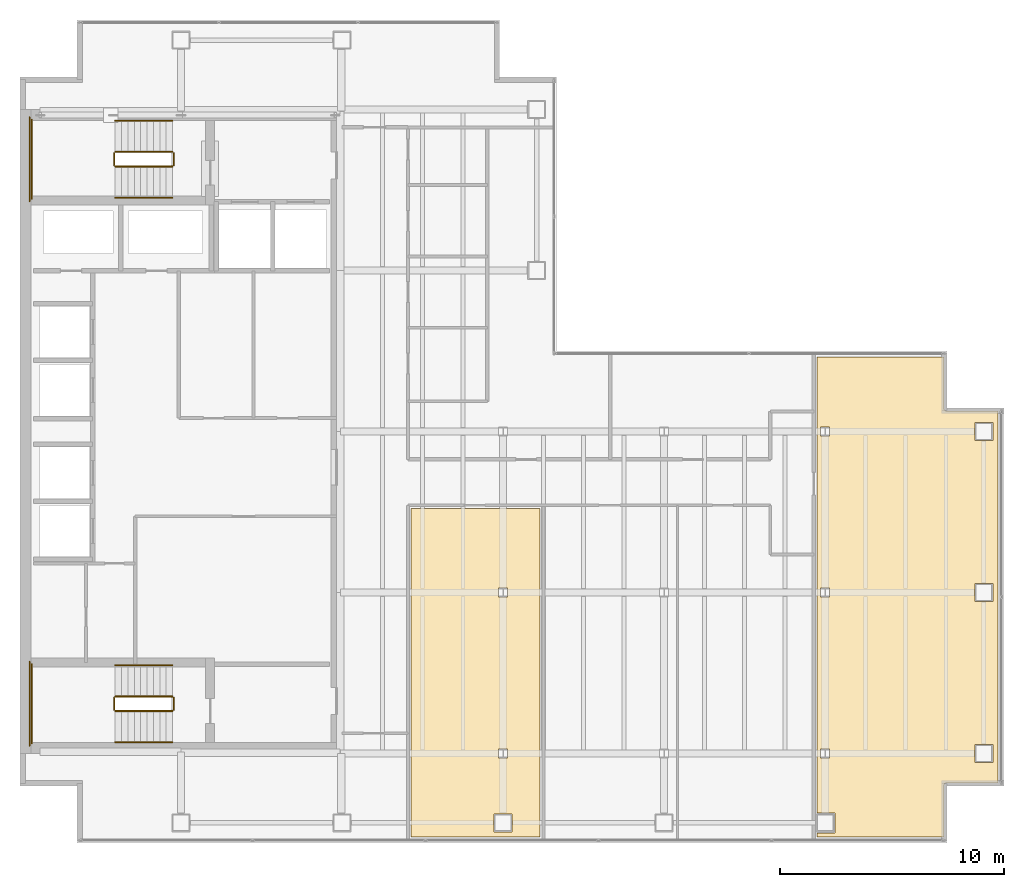
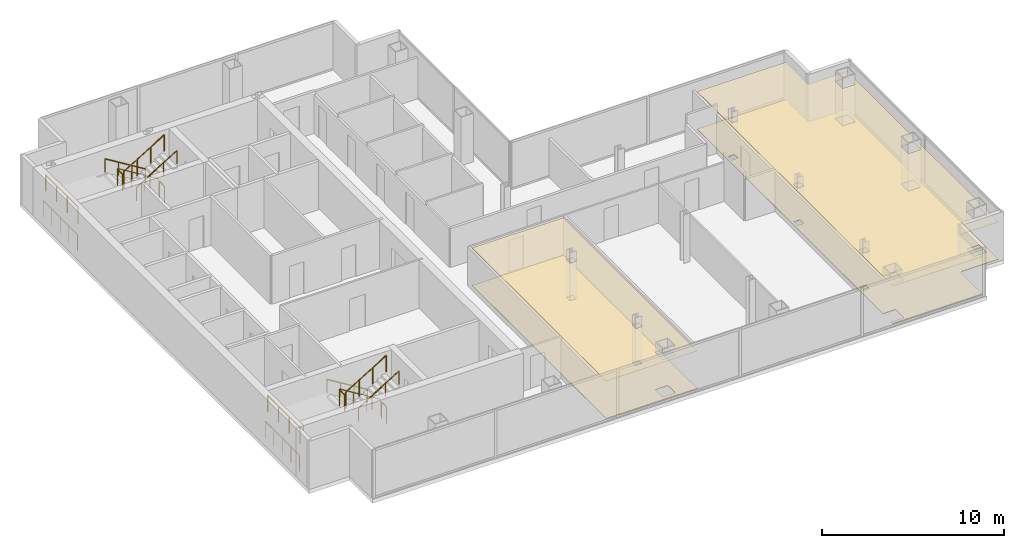
# One storey, part 23 of 23: 16 railings, 4 coverings.
"""IFC4 building model written with IfcOpenShell, lengths in metres."""

from ifc_helpers import new_model, si_unit, direction, frame, origin, origin_2d, place, context, subcontext, project, spatial, polyline, circle, outline, extrude, material, layer, layer_set, type_object, element, save


model = new_model("IFC4")

# Units and contexts
model_context = context("Model", 3, precision=1e-05, world=origin(), true_north=direction((0.0, 1.0)))
body_context = subcontext(model_context, "Body", "Model", "MODEL_VIEW")
ifc_project = project(units=[si_unit("LENGTHUNIT", "METRE"), si_unit("AREAUNIT", "SQUARE_METRE"), si_unit("VOLUMEUNIT", "CUBIC_METRE"), si_unit("PLANEANGLEUNIT", "RADIAN"), si_unit("MASSUNIT", "GRAM", prefix="KILO")], contexts=[model_context])

# Site, building, storey
site_placement = place(None, origin())
site = spatial("IfcSite", under=ifc_project, at=site_placement, CompositionType="ELEMENT")
building_placement = place(site_placement, origin())
building = spatial("IfcBuilding", under=site, at=building_placement, Name="Cobrela Telecom Tower", CompositionType="ELEMENT")
storey_placement = place(building_placement, frame((0.0, 0.0, 187.25)))
storey = spatial("IfcBuildingStorey", under=building, at=storey_placement, Name="L47", CompositionType="ELEMENT", Elevation=187.25)

# Coverings
ifc_material_1 = material(Name="Mineral Fibre Acoustic Ceiling Tile")
ifc_layer_1 = layer(ifc_material_1, 0.02490234375)
ifc_layer_set_1 = layer_set([ifc_layer_1], Name="Mineral Fibre Acoustic Ceiling Tile")
covering_type_1 = type_object("IfcCoveringType", Name="COV-CEIL-ACT", PredefinedType="CEILING", material=ifc_layer_set_1)
covering_1_placement = place(storey_placement, frame((0.0, 0.0, 2.52001953125)))
element("IfcCovering", 1, at=covering_1_placement, inside=storey, type_object=covering_type_1, Name="L47 Systems Engineering Studio 8 Suspended Acoustic Ceiling", PredefinedType="CEILING", context=body_context, shape_type="SweptSolid", body=[
    extrude(outline(polyline([(41.422607421875, 5.887451171875), (41.409423828125, 5.884033203125), (41.396484375, 5.87939453125), (41.384033203125, 5.87353515625), (41.3720703125, 5.866455078125), (41.361083984375, 5.8583984375), (41.35107421875, 5.84912109375), (41.341796875, 5.8388671875), (41.33349609375, 5.827880859375), (41.326416015625, 5.81591796875), (41.320556640625, 5.8037109375), (41.31591796875, 5.79052734375), (41.3125, 5.77734375), (41.310546875, 5.763671875), (41.31005859375, 5.7509765625), (41.31005859375, 3.4599609375), (35.639892578125, 3.4599609375), (35.639892578125, 3.64990234375), (36.449951171875, 3.64990234375), (36.449951171875, 4.550048828125), (35.639892578125, 4.550048828125), (35.639892578125, 24.93994140625), (41.31005859375, 24.93994140625), (41.31005859375, 22.64892578125), (41.310546875, 22.63623046875), (41.3125, 22.622802734375), (41.31591796875, 22.609375), (41.320556640625, 22.596435546875), (41.326416015625, 22.583984375), (41.33349609375, 22.572021484375), (41.341796875, 22.561279296875), (41.35107421875, 22.551025390625), (41.361083984375, 22.541748046875), (41.3720703125, 22.53369140625), (41.384033203125, 22.526611328125), (41.396484375, 22.5205078125), (41.409423828125, 22.51611328125), (41.422607421875, 22.5126953125), (41.436279296875, 22.510498046875), (41.448974609375, 22.510009765625), (43.739990234375, 22.510009765625), (43.739990234375, 5.889892578125), (41.448974609375, 5.889892578125), (41.436279296875, 5.889404296875), (41.422607421875, 5.887451171875)]), holes=[polyline([(36.199462890625, 7.0029296875), (36.199462890625, 7.39697265625), (35.800537109375, 7.39697265625), (35.800537109375, 7.0029296875), (36.199462890625, 7.0029296875)]), polyline([(43.5, 6.800048828125), (43.5, 7.60009765625), (42.699951171875, 7.60009765625), (42.699951171875, 6.800048828125), (43.5, 6.800048828125)]), polyline([(36.199462890625, 14.202880859375), (36.199462890625, 14.596923828125), (35.800537109375, 14.596923828125), (35.800537109375, 14.202880859375), (36.199462890625, 14.202880859375)]), polyline([(43.5, 14.0), (43.5, 14.800048828125), (42.699951171875, 14.800048828125), (42.699951171875, 14.0), (43.5, 14.0)]), polyline([(36.199462890625, 21.403076171875), (36.199462890625, 21.797119140625), (35.800537109375, 21.797119140625), (35.800537109375, 21.403076171875), (36.199462890625, 21.403076171875)]), polyline([(43.5, 21.199951171875), (43.5, 22.0), (42.699951171875, 22.0), (42.699951171875, 21.199951171875), (43.5, 21.199951171875)])]), origin(), (0.0, 0.0, 1.0), 0.02490234375),
])
covering_2_placement = place(storey_placement, frame((0.0, 0.0, 2.52001953125)))
element("IfcCovering", 2, at=covering_2_placement, inside=storey, type_object=covering_type_1, Name="L47 Security Control Room 5 Suspended Acoustic Ceiling", PredefinedType="CEILING", context=body_context, shape_type="SweptSolid", body=[
    extrude(outline(polyline([(23.260009765625, 3.4599609375), (17.489990234375, 3.4599609375), (17.489990234375, 18.159912109375), (23.260009765625, 18.159912109375), (23.260009765625, 3.4599609375)]), holes=[polyline([(22.0, 4.5), (21.199951171875, 4.5), (21.199951171875, 3.699951171875), (22.0, 3.699951171875), (22.0, 4.5)]), polyline([(21.799560546875, 7.0029296875), (21.799560546875, 7.39697265625), (21.400390625, 7.39697265625), (21.400390625, 7.0029296875), (21.799560546875, 7.0029296875)]), polyline([(21.799560546875, 14.596923828125), (21.400390625, 14.596923828125), (21.400390625, 14.202880859375), (21.799560546875, 14.202880859375), (21.799560546875, 14.596923828125)])]), origin(), (0.0, 0.0, 1.0), 0.02490234375),
])
ifc_material_2 = material(Name="Honed Colombian Basalt Stone", Category="masonry")
ifc_layer_2 = layer(ifc_material_2, 0.0400390625)
ifc_layer_set_2 = layer_set([ifc_layer_2], Name="Honed Colombian Basalt Stone")
covering_type_2 = type_object("IfcCoveringType", Name="COV-FLR-STONE", PredefinedType="FLOORING", material=ifc_layer_set_2)
covering_3_placement = place(storey_placement, origin())
element("IfcCovering", 3, at=covering_3_placement, inside=storey, type_object=covering_type_2, Name="L47 Systems Engineering Studio 8 Raised Technical Flooring", PredefinedType="FLOORING", context=body_context, shape_type="SweptSolid", body=[
    extrude(outline(polyline([(41.422607421875, 5.887451171875), (41.409423828125, 5.884033203125), (41.396484375, 5.87939453125), (41.384033203125, 5.87353515625), (41.3720703125, 5.866455078125), (41.361083984375, 5.8583984375), (41.35107421875, 5.84912109375), (41.341796875, 5.8388671875), (41.33349609375, 5.827880859375), (41.326416015625, 5.81591796875), (41.320556640625, 5.8037109375), (41.31591796875, 5.79052734375), (41.3125, 5.77734375), (41.310546875, 5.763671875), (41.31005859375, 5.7509765625), (41.31005859375, 3.4599609375), (35.639892578125, 3.4599609375), (35.639892578125, 3.64990234375), (36.449951171875, 3.64990234375), (36.449951171875, 4.550048828125), (35.639892578125, 4.550048828125), (35.639892578125, 24.93994140625), (41.31005859375, 24.93994140625), (41.31005859375, 22.64892578125), (41.310546875, 22.63623046875), (41.3125, 22.622802734375), (41.31591796875, 22.609375), (41.320556640625, 22.596435546875), (41.326416015625, 22.583984375), (41.33349609375, 22.572021484375), (41.341796875, 22.561279296875), (41.35107421875, 22.551025390625), (41.361083984375, 22.541748046875), (41.3720703125, 22.53369140625), (41.384033203125, 22.526611328125), (41.396484375, 22.5205078125), (41.409423828125, 22.51611328125), (41.422607421875, 22.5126953125), (41.436279296875, 22.510498046875), (41.448974609375, 22.510009765625), (43.739990234375, 22.510009765625), (43.739990234375, 5.889892578125), (41.448974609375, 5.889892578125), (41.436279296875, 5.889404296875), (41.422607421875, 5.887451171875)]), holes=[polyline([(36.199462890625, 7.0029296875), (36.199462890625, 7.39697265625), (35.800537109375, 7.39697265625), (35.800537109375, 7.0029296875), (36.199462890625, 7.0029296875)]), polyline([(43.5, 6.800048828125), (43.5, 7.60009765625), (42.699951171875, 7.60009765625), (42.699951171875, 6.800048828125), (43.5, 6.800048828125)]), polyline([(36.199462890625, 14.202880859375), (36.199462890625, 14.596923828125), (35.800537109375, 14.596923828125), (35.800537109375, 14.202880859375), (36.199462890625, 14.202880859375)]), polyline([(43.5, 14.0), (43.5, 14.800048828125), (42.699951171875, 14.800048828125), (42.699951171875, 14.0), (43.5, 14.0)]), polyline([(36.199462890625, 21.403076171875), (36.199462890625, 21.797119140625), (35.800537109375, 21.797119140625), (35.800537109375, 21.403076171875), (36.199462890625, 21.403076171875)]), polyline([(43.5, 21.199951171875), (43.5, 22.0), (42.699951171875, 22.0), (42.699951171875, 21.199951171875), (43.5, 21.199951171875)])]), origin(), (0.0, 0.0, 1.0), 0.0400390625),
])
covering_4_placement = place(storey_placement, origin())
element("IfcCovering", 4, at=covering_4_placement, inside=storey, type_object=covering_type_2, Name="L47 Security Control Room 5 Raised Technical Flooring", PredefinedType="FLOORING", context=body_context, shape_type="SweptSolid", body=[
    extrude(outline(polyline([(23.260009765625, 3.4599609375), (17.489990234375, 3.4599609375), (17.489990234375, 18.159912109375), (23.260009765625, 18.159912109375), (23.260009765625, 3.4599609375)]), holes=[polyline([(22.0, 4.5), (21.199951171875, 4.5), (21.199951171875, 3.699951171875), (22.0, 3.699951171875), (22.0, 4.5)]), polyline([(21.799560546875, 7.0029296875), (21.799560546875, 7.39697265625), (21.400390625, 7.39697265625), (21.400390625, 7.0029296875), (21.799560546875, 7.0029296875)]), polyline([(21.799560546875, 14.596923828125), (21.400390625, 14.596923828125), (21.400390625, 14.202880859375), (21.799560546875, 14.202880859375), (21.799560546875, 14.596923828125)])]), origin(), (0.0, 0.0, 1.0), 0.0400390625),
])

# Railings
ifc_material_3 = material(Name="Steel ASTM A36", Category="steel")
railing_type_1 = type_object("IfcRailingType", Name="RAIL-GUARD-1100", PredefinedType="GUARDRAIL", material=ifc_material_3)
railing_1_placement = place(storey_placement, frame((6.820068359375, 34.10009765625, 0.175048828125)))
element("IfcRailing", 5, at=railing_1_placement, inside=storey, type_object=railing_type_1, Name="L47 ST1 stair guard 1", PredefinedType="GUARDRAIL", context=body_context, shape_type="SweptSolid", body=[
    extrude(circle(Radius=0.02392578125, at=origin_2d()), frame((0.0, 0.0, 1.076171875), z_axis=(-0.852195335862, 0.0, 0.523223766217), x_axis=(0.0, -1.0, 0.0)), (0.0, 0.0, 1.0), 3.010009765625),
    extrude(circle(Radius=0.02099609375, at=origin_2d()), origin(), (0.0, 0.0, 1.0), 1.052001953125),
    extrude(circle(Radius=0.02099609375, at=origin_2d()), frame((-0.85498046875, 0.0, 0.52490234375)), (0.0, 0.0, 1.0), 1.052001953125),
    extrude(circle(Radius=0.02099609375, at=origin_2d()), frame((-1.710205078125, 0.0, 1.050048828125)), (0.0, 0.0, 1.0), 1.052001953125),
    extrude(circle(Radius=0.02099609375, at=origin_2d()), frame((-2.565185546875, 0.0, 1.574951171875)), (0.0, 0.0, 1.0), 1.052001953125),
])
railing_2_placement = place(storey_placement, frame((4.205078125, 34.050048828125, 1.75)))
element("IfcRailing", 6, at=railing_2_placement, inside=storey, type_object=railing_type_1, Name="L47 ST1 stair guard 2", PredefinedType="GUARDRAIL", context=body_context, shape_type="SweptSolid", body=[
    extrude(circle(Radius=0.02392578125, at=origin_2d()), frame((0.0, 0.0, 1.076171875), z_axis=(0.0, -1.0, 0.0), x_axis=(1.0, 0.0, 0.0)), (0.0, 0.0, 1.0), 0.550048828125),
    extrude(circle(Radius=0.02099609375, at=origin_2d()), origin(), (0.0, 0.0, 1.0), 1.052001953125),
    extrude(circle(Radius=0.02099609375, at=origin_2d()), frame((0.0, -0.550048828125, 0.0)), (0.0, 0.0, 1.0), 1.052001953125),
])
railing_3_placement = place(storey_placement, frame((0.530029296875, 35.550048828125, 1.75)))
element("IfcRailing", 7, at=railing_3_placement, inside=storey, type_object=railing_type_1, Name="L47 ST1 stair guard 3", PredefinedType="GUARDRAIL", context=body_context, shape_type="SweptSolid", body=[
    extrude(circle(Radius=0.02392578125, at=origin_2d()), frame((0.0, 0.0, 1.076171875), z_axis=(0.0, -1.0, 0.0), x_axis=(1.0, 0.0, 0.0)), (0.0, 0.0, 1.0), 3.550048828125),
    extrude(circle(Radius=0.02099609375, at=origin_2d()), origin(), (0.0, 0.0, 1.0), 1.052001953125),
    extrude(circle(Radius=0.02099609375, at=origin_2d()), frame((0.0, -1.183349609375, 0.0)), (0.0, 0.0, 1.0), 1.052001953125),
    extrude(circle(Radius=0.02099609375, at=origin_2d()), frame((0.0, -2.36669921875, 0.0)), (0.0, 0.0, 1.0), 1.052001953125),
    extrude(circle(Radius=0.02099609375, at=origin_2d()), frame((0.0, -3.550048828125, 0.0)), (0.0, 0.0, 1.0), 1.052001953125),
])
railing_4_placement = place(storey_placement, frame((4.2548828125, 33.449951171875, 1.925048828125)))
element("IfcRailing", 8, at=railing_4_placement, inside=storey, type_object=railing_type_1, Name="L47 ST1 stair guard 4", PredefinedType="GUARDRAIL", context=body_context, shape_type="SweptSolid", body=[
    extrude(circle(Radius=0.02392578125, at=origin_2d()), frame((0.0, 0.0, 1.076171875), z_axis=(0.852195335862, 0.0, 0.523223766217), x_axis=(0.0, 1.0, 0.0)), (0.0, 0.0, 1.0), 3.010009765625),
    extrude(circle(Radius=0.02099609375, at=origin_2d()), origin(), (0.0, 0.0, 1.0), 1.052001953125),
    extrude(circle(Radius=0.02099609375, at=origin_2d()), frame((0.85498046875, 0.0, 0.52490234375)), (0.0, 0.0, 1.0), 1.052001953125),
    extrude(circle(Radius=0.02099609375, at=origin_2d()), frame((1.710205078125, 0.0, 1.050048828125)), (0.0, 0.0, 1.0), 1.052001953125),
    extrude(circle(Radius=0.02099609375, at=origin_2d()), frame((2.565185546875, 0.0, 1.574951171875)), (0.0, 0.0, 1.0), 1.052001953125),
])
railing_5_placement = place(storey_placement, frame((6.8701171875, 34.050048828125, 0.0)))
element("IfcRailing", 9, at=railing_5_placement, inside=storey, type_object=railing_type_1, Name="L47 ST1 stair guard 5", PredefinedType="GUARDRAIL", context=body_context, shape_type="SweptSolid", body=[
    extrude(circle(Radius=0.02392578125, at=origin_2d()), frame((0.0, 0.0, 1.076171875), z_axis=(0.0, -1.0, 0.0), x_axis=(1.0, 0.0, 0.0)), (0.0, 0.0, 1.0), 0.550048828125),
    extrude(circle(Radius=0.02099609375, at=origin_2d()), origin(), (0.0, 0.0, 1.0), 1.052001953125),
    extrude(circle(Radius=0.02099609375, at=origin_2d()), frame((0.0, -0.550048828125, 0.0)), (0.0, 0.0, 1.0), 1.052001953125),
])
railing_6_placement = place(storey_placement, frame((0.429931640625, 35.64990234375, 0.0)))
element("IfcRailing", 10, at=railing_6_placement, inside=storey, type_object=railing_type_1, Name="L47 ST1 stair guard 6", PredefinedType="GUARDRAIL", context=body_context, shape_type="SweptSolid", body=[
    extrude(circle(Radius=0.02392578125, at=origin_2d()), frame((0.0, 0.0, 1.076171875), z_axis=(0.0, -1.0, 0.0), x_axis=(1.0, 0.0, 0.0)), (0.0, 0.0, 1.0), 3.75),
    extrude(circle(Radius=0.02099609375, at=origin_2d()), origin(), (0.0, 0.0, 1.0), 1.052001953125),
    extrude(circle(Radius=0.02099609375, at=origin_2d()), frame((0.0, -0.9375, 0.0)), (0.0, 0.0, 1.0), 1.052001953125),
    extrude(circle(Radius=0.02099609375, at=origin_2d()), frame((0.0, -1.875, 0.0)), (0.0, 0.0, 1.0), 1.052001953125),
    extrude(circle(Radius=0.02099609375, at=origin_2d()), frame((0.0, -2.8125, 0.0)), (0.0, 0.0, 1.0), 1.052001953125),
    extrude(circle(Radius=0.02099609375, at=origin_2d()), frame((0.0, -3.75, 0.0)), (0.0, 0.0, 1.0), 1.052001953125),
])
railing_7_placement = place(storey_placement, frame((6.820068359375, 9.75, 0.175048828125)))
element("IfcRailing", 11, at=railing_7_placement, inside=storey, type_object=railing_type_1, Name="L47 ST2 stair guard 1", PredefinedType="GUARDRAIL", context=body_context, shape_type="SweptSolid", body=[
    extrude(circle(Radius=0.02392578125, at=origin_2d()), frame((0.0, 0.0, 1.076171875), z_axis=(-0.852195335862, 0.0, 0.523223766217), x_axis=(0.0, -1.0, 0.0)), (0.0, 0.0, 1.0), 3.010009765625),
    extrude(circle(Radius=0.02099609375, at=origin_2d()), origin(), (0.0, 0.0, 1.0), 1.052001953125),
    extrude(circle(Radius=0.02099609375, at=origin_2d()), frame((-0.85498046875, 0.0, 0.52490234375)), (0.0, 0.0, 1.0), 1.052001953125),
    extrude(circle(Radius=0.02099609375, at=origin_2d()), frame((-1.710205078125, 0.0, 1.050048828125)), (0.0, 0.0, 1.0), 1.052001953125),
    extrude(circle(Radius=0.02099609375, at=origin_2d()), frame((-2.565185546875, 0.0, 1.574951171875)), (0.0, 0.0, 1.0), 1.052001953125),
])
railing_8_placement = place(storey_placement, frame((4.205078125, 9.699951171875, 1.75)))
element("IfcRailing", 12, at=railing_8_placement, inside=storey, type_object=railing_type_1, Name="L47 ST2 stair guard 2", PredefinedType="GUARDRAIL", context=body_context, shape_type="SweptSolid", body=[
    extrude(circle(Radius=0.02392578125, at=origin_2d()), frame((0.0, 0.0, 1.076171875), z_axis=(0.0, -1.0, 0.0), x_axis=(1.0, 0.0, 0.0)), (0.0, 0.0, 1.0), 0.550048828125),
    extrude(circle(Radius=0.02099609375, at=origin_2d()), origin(), (0.0, 0.0, 1.0), 1.052001953125),
    extrude(circle(Radius=0.02099609375, at=origin_2d()), frame((0.0, -0.550048828125, 0.0)), (0.0, 0.0, 1.0), 1.052001953125),
])
railing_9_placement = place(storey_placement, frame((0.530029296875, 11.199951171875, 1.75)))
element("IfcRailing", 13, at=railing_9_placement, inside=storey, type_object=railing_type_1, Name="L47 ST2 stair guard 3", PredefinedType="GUARDRAIL", context=body_context, shape_type="SweptSolid", body=[
    extrude(circle(Radius=0.02392578125, at=origin_2d()), frame((0.0, 0.0, 1.076171875), z_axis=(0.0, -1.0, 0.0), x_axis=(1.0, 0.0, 0.0)), (0.0, 0.0, 1.0), 3.550048828125),
    extrude(circle(Radius=0.02099609375, at=origin_2d()), origin(), (0.0, 0.0, 1.0), 1.052001953125),
    extrude(circle(Radius=0.02099609375, at=origin_2d()), frame((0.0, -1.183349609375, 0.0)), (0.0, 0.0, 1.0), 1.052001953125),
    extrude(circle(Radius=0.02099609375, at=origin_2d()), frame((0.0, -2.36669921875, 0.0)), (0.0, 0.0, 1.0), 1.052001953125),
    extrude(circle(Radius=0.02099609375, at=origin_2d()), frame((0.0, -3.550048828125, 0.0)), (0.0, 0.0, 1.0), 1.052001953125),
])
railing_10_placement = place(storey_placement, frame((4.2548828125, 9.10009765625, 1.925048828125)))
element("IfcRailing", 14, at=railing_10_placement, inside=storey, type_object=railing_type_1, Name="L47 ST2 stair guard 4", PredefinedType="GUARDRAIL", context=body_context, shape_type="SweptSolid", body=[
    extrude(circle(Radius=0.02392578125, at=origin_2d()), frame((0.0, 0.0, 1.076171875), z_axis=(0.852195335862, 0.0, 0.523223766217), x_axis=(0.0, 1.0, 0.0)), (0.0, 0.0, 1.0), 3.010009765625),
    extrude(circle(Radius=0.02099609375, at=origin_2d()), origin(), (0.0, 0.0, 1.0), 1.052001953125),
    extrude(circle(Radius=0.02099609375, at=origin_2d()), frame((0.85498046875, 0.0, 0.52490234375)), (0.0, 0.0, 1.0), 1.052001953125),
    extrude(circle(Radius=0.02099609375, at=origin_2d()), frame((1.710205078125, 0.0, 1.050048828125)), (0.0, 0.0, 1.0), 1.052001953125),
    extrude(circle(Radius=0.02099609375, at=origin_2d()), frame((2.565185546875, 0.0, 1.574951171875)), (0.0, 0.0, 1.0), 1.052001953125),
])
railing_11_placement = place(storey_placement, frame((6.8701171875, 9.699951171875, 0.0)))
element("IfcRailing", 15, at=railing_11_placement, inside=storey, type_object=railing_type_1, Name="L47 ST2 stair guard 5", PredefinedType="GUARDRAIL", context=body_context, shape_type="SweptSolid", body=[
    extrude(circle(Radius=0.02392578125, at=origin_2d()), frame((0.0, 0.0, 1.076171875), z_axis=(0.0, -1.0, 0.0), x_axis=(1.0, 0.0, 0.0)), (0.0, 0.0, 1.0), 0.550048828125),
    extrude(circle(Radius=0.02099609375, at=origin_2d()), origin(), (0.0, 0.0, 1.0), 1.052001953125),
    extrude(circle(Radius=0.02099609375, at=origin_2d()), frame((0.0, -0.550048828125, 0.0)), (0.0, 0.0, 1.0), 1.052001953125),
])
railing_12_placement = place(storey_placement, frame((0.429931640625, 11.300048828125, 0.0)))
element("IfcRailing", 16, at=railing_12_placement, inside=storey, type_object=railing_type_1, Name="L47 ST2 stair guard 6", PredefinedType="GUARDRAIL", context=body_context, shape_type="SweptSolid", body=[
    extrude(circle(Radius=0.02392578125, at=origin_2d()), frame((0.0, 0.0, 1.076171875), z_axis=(0.0, -1.0, 0.0), x_axis=(1.0, 0.0, 0.0)), (0.0, 0.0, 1.0), 3.75),
    extrude(circle(Radius=0.02099609375, at=origin_2d()), origin(), (0.0, 0.0, 1.0), 1.052001953125),
    extrude(circle(Radius=0.02099609375, at=origin_2d()), frame((0.0, -0.9375, 0.0)), (0.0, 0.0, 1.0), 1.052001953125),
    extrude(circle(Radius=0.02099609375, at=origin_2d()), frame((0.0, -1.875, 0.0)), (0.0, 0.0, 1.0), 1.052001953125),
    extrude(circle(Radius=0.02099609375, at=origin_2d()), frame((0.0, -2.8125, 0.0)), (0.0, 0.0, 1.0), 1.052001953125),
    extrude(circle(Radius=0.02099609375, at=origin_2d()), frame((0.0, -3.75, 0.0)), (0.0, 0.0, 1.0), 1.052001953125),
])
railing_type_2 = type_object("IfcRailingType", Name="RAIL-HAND-920", PredefinedType="HANDRAIL", material=ifc_material_3)
railing_13_placement = place(storey_placement, frame((6.820068359375, 35.5, 0.175048828125)))
element("IfcRailing", 17, at=railing_13_placement, inside=storey, type_object=railing_type_2, Name="L47 ST1 stair handrail 1", PredefinedType="HANDRAIL", context=body_context, shape_type="SweptSolid", body=[
    extrude(circle(Radius=0.02392578125, at=origin_2d()), frame((0.0, 0.0, 0.8759765625), z_axis=(-0.852195335862, 0.0, 0.523223766217), x_axis=(0.0, -1.0, 0.0)), (0.0, 0.0, 1.0), 3.010009765625),
    extrude(circle(Radius=0.02099609375, at=origin_2d()), origin(), (0.0, 0.0, 1.0), 0.851806640625),
    extrude(circle(Radius=0.02099609375, at=origin_2d()), frame((-0.85498046875, 0.0, 0.52490234375)), (0.0, 0.0, 1.0), 0.851806640625),
    extrude(circle(Radius=0.02099609375, at=origin_2d()), frame((-1.710205078125, 0.0, 1.050048828125)), (0.0, 0.0, 1.0), 0.851806640625),
    extrude(circle(Radius=0.02099609375, at=origin_2d()), frame((-2.565185546875, 0.0, 1.574951171875)), (0.0, 0.0, 1.0), 0.851806640625),
])
railing_14_placement = place(storey_placement, frame((4.2548828125, 32.050048828125, 1.925048828125)))
element("IfcRailing", 18, at=railing_14_placement, inside=storey, type_object=railing_type_2, Name="L47 ST1 stair handrail 2", PredefinedType="HANDRAIL", context=body_context, shape_type="SweptSolid", body=[
    extrude(circle(Radius=0.02392578125, at=origin_2d()), frame((0.0, 0.0, 0.8759765625), z_axis=(0.852195335862, 0.0, 0.523223766217), x_axis=(0.0, 1.0, 0.0)), (0.0, 0.0, 1.0), 3.010009765625),
    extrude(circle(Radius=0.02099609375, at=origin_2d()), origin(), (0.0, 0.0, 1.0), 0.851806640625),
    extrude(circle(Radius=0.02099609375, at=origin_2d()), frame((0.85498046875, 0.0, 0.52490234375)), (0.0, 0.0, 1.0), 0.851806640625),
    extrude(circle(Radius=0.02099609375, at=origin_2d()), frame((1.710205078125, 0.0, 1.050048828125)), (0.0, 0.0, 1.0), 0.851806640625),
    extrude(circle(Radius=0.02099609375, at=origin_2d()), frame((2.565185546875, 0.0, 1.574951171875)), (0.0, 0.0, 1.0), 0.851806640625),
])
railing_15_placement = place(storey_placement, frame((6.820068359375, 11.14990234375, 0.175048828125)))
element("IfcRailing", 19, at=railing_15_placement, inside=storey, type_object=railing_type_2, Name="L47 ST2 stair handrail 1", PredefinedType="HANDRAIL", context=body_context, shape_type="SweptSolid", body=[
    extrude(circle(Radius=0.02392578125, at=origin_2d()), frame((0.0, 0.0, 0.8759765625), z_axis=(-0.852195335862, 0.0, 0.523223766217), x_axis=(0.0, -1.0, 0.0)), (0.0, 0.0, 1.0), 3.010009765625),
    extrude(circle(Radius=0.02099609375, at=origin_2d()), origin(), (0.0, 0.0, 1.0), 0.851806640625),
    extrude(circle(Radius=0.02099609375, at=origin_2d()), frame((-0.85498046875, 0.0, 0.52490234375)), (0.0, 0.0, 1.0), 0.851806640625),
    extrude(circle(Radius=0.02099609375, at=origin_2d()), frame((-1.710205078125, 0.0, 1.050048828125)), (0.0, 0.0, 1.0), 0.851806640625),
    extrude(circle(Radius=0.02099609375, at=origin_2d()), frame((-2.565185546875, 0.0, 1.574951171875)), (0.0, 0.0, 1.0), 0.851806640625),
])
railing_16_placement = place(storey_placement, frame((4.2548828125, 7.699951171875, 1.925048828125)))
element("IfcRailing", 20, at=railing_16_placement, inside=storey, type_object=railing_type_2, Name="L47 ST2 stair handrail 2", PredefinedType="HANDRAIL", context=body_context, shape_type="SweptSolid", body=[
    extrude(circle(Radius=0.02392578125, at=origin_2d()), frame((0.0, 0.0, 0.8759765625), z_axis=(0.852195335862, 0.0, 0.523223766217), x_axis=(0.0, 1.0, 0.0)), (0.0, 0.0, 1.0), 3.010009765625),
    extrude(circle(Radius=0.02099609375, at=origin_2d()), origin(), (0.0, 0.0, 1.0), 0.851806640625),
    extrude(circle(Radius=0.02099609375, at=origin_2d()), frame((0.85498046875, 0.0, 0.52490234375)), (0.0, 0.0, 1.0), 0.851806640625),
    extrude(circle(Radius=0.02099609375, at=origin_2d()), frame((1.710205078125, 0.0, 1.050048828125)), (0.0, 0.0, 1.0), 0.851806640625),
    extrude(circle(Radius=0.02099609375, at=origin_2d()), frame((2.565185546875, 0.0, 1.574951171875)), (0.0, 0.0, 1.0), 0.851806640625),
])

save(model, "model.ifc")
